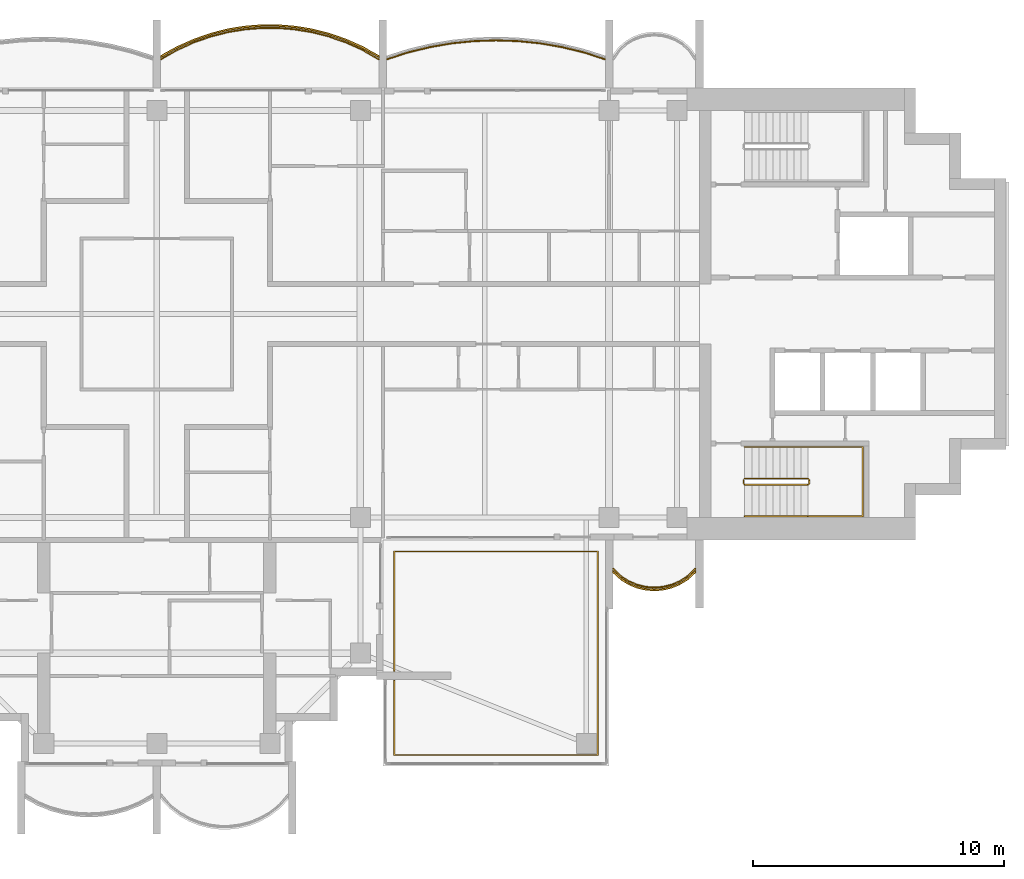
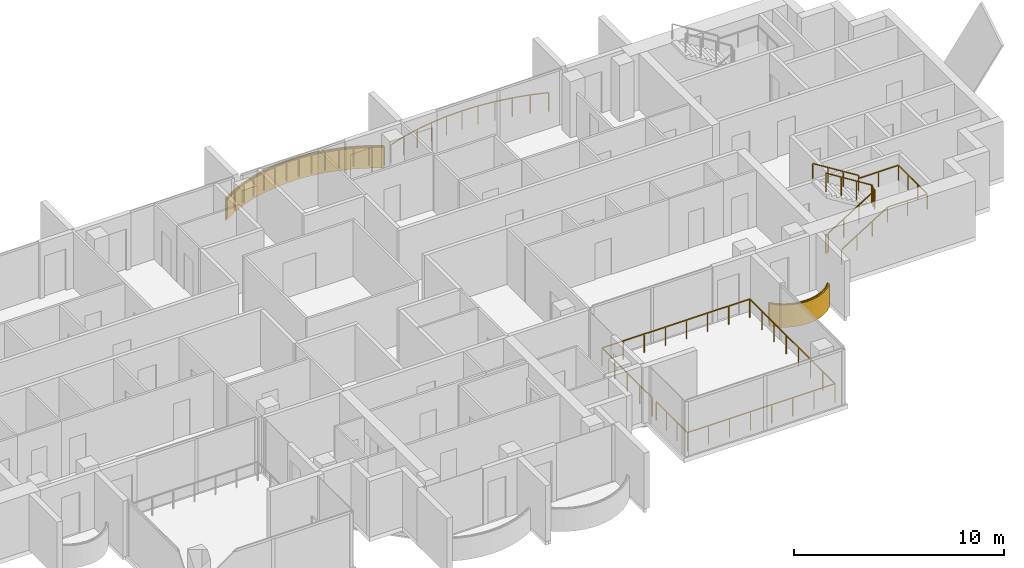
# One storey, part 16 of 17: 6 railings, 2 coverings.
"""IFC4 building model written with IfcOpenShell, lengths in metres."""

from ifc_helpers import new_model, si_unit, direction, frame, origin, origin_2d, place, context, subcontext, project, spatial, polyline, rectangle, outline, extrude, material, layer, layer_set, type_object, element, save


model = new_model("IFC4")

# Units and contexts
model_context = context("Model", 3, precision=1e-05, world=origin(), true_north=direction((0.0, 1.0)))
body_context = subcontext(model_context, "Body", "Model", "MODEL_VIEW")
ifc_project = project(units=[si_unit("LENGTHUNIT", "METRE"), si_unit("AREAUNIT", "SQUARE_METRE"), si_unit("VOLUMEUNIT", "CUBIC_METRE"), si_unit("PLANEANGLEUNIT", "RADIAN"), si_unit("MASSUNIT", "GRAM", prefix="KILO")], contexts=[model_context])

# Site, building, storey
site_placement = place(None, origin())
site = spatial("IfcSite", under=ifc_project, at=site_placement, CompositionType="ELEMENT")
building_placement = place(site_placement, origin())
building = spatial("IfcBuilding", under=site, at=building_placement, Name="Perihelion Cross Residences", CompositionType="ELEMENT")
storey_placement = place(building_placement, frame((0.0, 0.0, 278.0)))
storey = spatial("IfcBuildingStorey", under=building, at=storey_placement, Name="L71", CompositionType="ELEMENT", Elevation=278.0)

# Coverings
ifc_material_1 = material(Name="Bronze anodised aluminium", Category="aluminium")
ifc_layer = layer(ifc_material_1, 0.070068359375)
ifc_layer_set = layer_set([ifc_layer], Name="Balcony fascia 1300")
covering_type = type_object("IfcCoveringType", Name="Balcony fascia 1300", PredefinedType="CLADDING", material=ifc_layer_set)
covering_1_placement = place(storey_placement, frame((0.0, 0.0, -0.199951171875)))
element("IfcCovering", 1, at=covering_1_placement, inside=storey, type_object=covering_type, Name="Fascia BF1 L71 north side east bay 1", PredefinedType="CLADDING", context=body_context, shape_type="SweptSolid", body=[
    extrude(outline(polyline([(8.212158203125, 10.63916015625), (7.537353515625, 10.941650390625), (6.8623046875, 11.175048828125), (6.1875, 11.345947265625), (5.512451171875, 11.457763671875), (4.83740234375, 11.51318359375), (4.16259765625, 11.51318359375), (3.487548828125, 11.457763671875), (2.8125, 11.345947265625), (2.1376953125, 11.175048828125), (1.462646484375, 10.941650390625), (0.787841796875, 10.63916015625), (0.14990234375, 10.2802734375), (0.14990234375, 10.199951171875), (0.8193359375, 10.57666015625), (1.488525390625, 10.87646484375), (2.15771484375, 11.108154296875), (2.826904296875, 11.27734375), (3.49609375, 11.38818359375), (4.165283203125, 11.443115234375), (4.834716796875, 11.443115234375), (5.50390625, 11.38818359375), (6.173095703125, 11.27734375), (6.84228515625, 11.108154296875), (7.511474609375, 10.87646484375), (8.1806640625, 10.57666015625), (8.85009765625, 10.199951171875), (8.85009765625, 10.2802734375), (8.212158203125, 10.63916015625)])), origin(), (0.0, 0.0, 1.0), 1.300048828125),
])
covering_2_placement = place(storey_placement, frame((0.0, 0.0, -0.199951171875)))
element("IfcCovering", 2, at=covering_2_placement, inside=storey, type_object=covering_type, Name="Fascia BF1 L71 east side south bay 2", PredefinedType="CLADDING", context=body_context, shape_type="SweptSolid", body=[
    extrude(outline(polyline([(18.4375, -10.56298828125), (18.778076171875, -10.77587890625), (19.11865234375, -10.914794921875), (19.45947265625, -10.994140625), (19.800048828125, -11.02001953125), (20.140625, -10.994140625), (20.481201171875, -10.914794921875), (20.82177734375, -10.77587890625), (21.16259765625, -10.56298828125), (21.449951171875, -10.295654296875), (21.449951171875, -10.199951171875), (21.1201171875, -10.507568359375), (20.7900390625, -10.71337890625), (20.4599609375, -10.84814453125), (20.1298828125, -10.925048828125), (19.800048828125, -10.949951171875), (19.469970703125, -10.925048828125), (19.139892578125, -10.84814453125), (18.81005859375, -10.71337890625), (18.47998046875, -10.507568359375), (18.14990234375, -10.199951171875), (18.14990234375, -10.295654296875), (18.4375, -10.56298828125)])), origin(), (0.0, 0.0, 1.0), 1.300048828125),
])

# Railings
ifc_material_2 = material(Name="Bronze anodised aluminium", Category="aluminium")
railing_type_1 = type_object("IfcRailingType", Name="Balcony guard 1100", PredefinedType="GUARDRAIL", material=ifc_material_2)
railing_1_placement = place(storey_placement, frame((17.824951171875, 10.139892578125, 0.0)))
element("IfcRailing", 3, at=railing_1_placement, inside=storey, type_object=railing_type_1, Name="Guard GU1 L71 east side north bay 2 balcony", PredefinedType="GUARDRAIL", context=body_context, shape_type="SweptSolid", body=[
    extrude(rectangle(XDim=0.048095703125, YDim=0.048095703125, at=origin_2d()), frame((0.0, 0.0, 1.076171875), z_axis=(-0.950777354264, 0.30987484993, 0.0), x_axis=(-0.30987484993, -0.950777354264, 0.0)), (0.0, 0.0, 1.0), 0.888671875),
    extrude(rectangle(XDim=0.048095703125, YDim=0.048095703125, at=origin_2d()), frame((-0.844970703125, 0.275390625, 1.076171875), z_axis=(-0.972146551129, 0.234373810671, 0.0), x_axis=(-0.234373810671, -0.972146551129, 0.0)), (0.0, 0.0, 1.0), 0.894775390625),
    extrude(rectangle(XDim=0.048095703125, YDim=0.048095703125, at=origin_2d()), frame((-1.71484375, 0.485107421875, 1.076171875), z_axis=(-0.985850361727, 0.167627755108, 0.0), x_axis=(-0.167627755108, -0.985850361727, 0.0)), (0.0, 0.0, 1.0), 0.882568359375),
    extrude(rectangle(XDim=0.048095703125, YDim=0.048095703125, at=origin_2d()), frame((-2.5849609375, 0.633056640625, 1.076171875), z_axis=(-0.994934368303, 0.100526627165, 0.0), x_axis=(-0.100526627165, -0.994934368303, 0.0)), (0.0, 0.0, 1.0), 0.874267578125),
    extrude(rectangle(XDim=0.048095703125, YDim=0.048095703125, at=origin_2d()), frame((-3.454833984375, 0.720947265625, 1.076171875), z_axis=(-0.999443037968, 0.0333708534, 0.0), x_axis=(-0.0333708534, -0.999443037968, 0.0)), (0.0, 0.0, 1.0), 0.87060546875),
    extrude(rectangle(XDim=0.048095703125, YDim=0.048095703125, at=origin_2d()), frame((-4.324951171875, 0.75, 1.076171875), z_axis=(-0.999443037968, -0.0333708534, 0.0), x_axis=(0.0333708534, -0.999443037968, 0.0)), (0.0, 0.0, 1.0), 0.87060546875),
    extrude(rectangle(XDim=0.048095703125, YDim=0.048095703125, at=origin_2d()), frame((-5.195068359375, 0.720947265625, 1.076171875), z_axis=(-0.994934368303, -0.100526627165, 0.0), x_axis=(0.100526627165, -0.994934368303, 0.0)), (0.0, 0.0, 1.0), 0.874267578125),
    extrude(rectangle(XDim=0.048095703125, YDim=0.048095703125, at=origin_2d()), frame((-6.06494140625, 0.633056640625, 1.076171875), z_axis=(-0.985850361727, -0.167627755108, 0.0), x_axis=(0.167627755108, -0.985850361727, 0.0)), (0.0, 0.0, 1.0), 0.882568359375),
    extrude(rectangle(XDim=0.048095703125, YDim=0.048095703125, at=origin_2d()), frame((-6.93505859375, 0.485107421875, 1.076171875), z_axis=(-0.972146551129, -0.234373810671, 0.0), x_axis=(0.234373810671, -0.972146551129, 0.0)), (0.0, 0.0, 1.0), 0.894775390625),
    extrude(rectangle(XDim=0.048095703125, YDim=0.048095703125, at=origin_2d()), frame((-7.804931640625, 0.275390625, 1.076171875), z_axis=(-0.950777354264, -0.30987484993, 0.0), x_axis=(0.30987484993, -0.950777354264, 0.0)), (0.0, 0.0, 1.0), 0.888671875),
    extrude(rectangle(XDim=0.0419921875, YDim=0.0419921875, at=origin_2d()), origin(), (0.0, 0.0, 1.0), 1.052001953125),
    extrude(rectangle(XDim=0.0419921875, YDim=0.0419921875, at=origin_2d()), frame((-0.844970703125, 0.275390625, 0.0)), (0.0, 0.0, 1.0), 1.052001953125),
    extrude(rectangle(XDim=0.0419921875, YDim=0.0419921875, at=origin_2d()), frame((-1.71484375, 0.485107421875, 0.0)), (0.0, 0.0, 1.0), 1.052001953125),
    extrude(rectangle(XDim=0.0419921875, YDim=0.0419921875, at=origin_2d()), frame((-2.5849609375, 0.633056640625, 0.0)), (0.0, 0.0, 1.0), 1.052001953125),
    extrude(rectangle(XDim=0.0419921875, YDim=0.0419921875, at=origin_2d()), frame((-3.454833984375, 0.720947265625, 0.0)), (0.0, 0.0, 1.0), 1.052001953125),
    extrude(rectangle(XDim=0.0419921875, YDim=0.0419921875, at=origin_2d()), frame((-4.324951171875, 0.75, 0.0)), (0.0, 0.0, 1.0), 1.052001953125),
    extrude(rectangle(XDim=0.0419921875, YDim=0.0419921875, at=origin_2d()), frame((-5.195068359375, 0.720947265625, 0.0)), (0.0, 0.0, 1.0), 1.052001953125),
    extrude(rectangle(XDim=0.0419921875, YDim=0.0419921875, at=origin_2d()), frame((-6.06494140625, 0.633056640625, 0.0)), (0.0, 0.0, 1.0), 1.052001953125),
    extrude(rectangle(XDim=0.0419921875, YDim=0.0419921875, at=origin_2d()), frame((-6.93505859375, 0.485107421875, 0.0)), (0.0, 0.0, 1.0), 1.052001953125),
    extrude(rectangle(XDim=0.0419921875, YDim=0.0419921875, at=origin_2d()), frame((-7.804931640625, 0.275390625, 0.0)), (0.0, 0.0, 1.0), 1.052001953125),
    extrude(rectangle(XDim=0.0419921875, YDim=0.0419921875, at=origin_2d()), frame((-8.64990234375, 0.0, 0.0)), (0.0, 0.0, 1.0), 1.052001953125),
])
railing_2_placement = place(storey_placement, frame((8.824951171875, 10.139892578125, 0.0)))
element("IfcRailing", 4, at=railing_2_placement, inside=storey, type_object=railing_type_1, Name="Guard GU1 L71 north side east bay 1 balcony", PredefinedType="GUARDRAIL", context=body_context, shape_type="SweptSolid", body=[
    extrude(rectangle(XDim=0.048095703125, YDim=0.048095703125, at=origin_2d()), frame((0.0, 0.0, 1.076171875), z_axis=(-0.863125740505, 0.504989065305, 0.0), x_axis=(-0.504989065305, -0.863125740505, 0.0)), (0.0, 0.0, 1.0), 0.746337890625),
    extrude(rectangle(XDim=0.048095703125, YDim=0.048095703125, at=origin_2d()), frame((-0.644287109375, 0.376953125, 1.076171875), z_axis=(-0.912723499295, 0.408577794103, 0.0), x_axis=(-0.408577794103, -0.912723499295, 0.0)), (0.0, 0.0, 1.0), 0.733154296875),
    extrude(rectangle(XDim=0.048095703125, YDim=0.048095703125, at=origin_2d()), frame((-1.3134765625, 0.676513671875, 1.076171875), z_axis=(-0.944965577734, 0.327169767701, 0.0), x_axis=(-0.327169767701, -0.944965577734, 0.0)), (0.0, 0.0, 1.0), 0.708251953125),
    extrude(rectangle(XDim=0.048095703125, YDim=0.048095703125, at=origin_2d()), frame((-1.982666015625, 0.908203125, 1.076171875), z_axis=(-0.96949408574, 0.245114703181, 0.0), x_axis=(-0.245114703181, -0.96949408574, 0.0)), (0.0, 0.0, 1.0), 0.690185546875),
    extrude(rectangle(XDim=0.048095703125, YDim=0.048095703125, at=origin_2d()), frame((-2.65185546875, 1.077392578125, 1.076171875), z_axis=(-0.986500713816, 0.163756959061, 0.0), x_axis=(-0.163756959061, -0.986500713816, 0.0)), (0.0, 0.0, 1.0), 0.678466796875),
    extrude(rectangle(XDim=0.048095703125, YDim=0.048095703125, at=origin_2d()), frame((-3.321044921875, 1.1884765625, 1.076171875), z_axis=(-0.996677390684, 0.081450468994, 0.0), x_axis=(-0.081450468994, -0.996677390684, 0.0)), (0.0, 0.0, 1.0), 0.67138671875),
    extrude(rectangle(XDim=0.048095703125, YDim=0.048095703125, at=origin_2d()), frame((-3.990234375, 1.2431640625, 1.076171875), z_axis=(-1.0, 0.0, 0.0), x_axis=(0.0, -1.0, 0.0)), (0.0, 0.0, 1.0), 0.66943359375),
    extrude(rectangle(XDim=0.048095703125, YDim=0.048095703125, at=origin_2d()), frame((-4.65966796875, 1.2431640625, 1.076171875), z_axis=(-0.996677390684, -0.081450468994, 0.0), x_axis=(0.081450468994, -0.996677390684, 0.0)), (0.0, 0.0, 1.0), 0.67138671875),
    extrude(rectangle(XDim=0.048095703125, YDim=0.048095703125, at=origin_2d()), frame((-5.328857421875, 1.1884765625, 1.076171875), z_axis=(-0.986500713816, -0.163756959061, 0.0), x_axis=(0.163756959061, -0.986500713816, 0.0)), (0.0, 0.0, 1.0), 0.678466796875),
    extrude(rectangle(XDim=0.048095703125, YDim=0.048095703125, at=origin_2d()), frame((-5.998046875, 1.077392578125, 1.076171875), z_axis=(-0.96949408574, -0.245114703181, 0.0), x_axis=(0.245114703181, -0.96949408574, 0.0)), (0.0, 0.0, 1.0), 0.690185546875),
    extrude(rectangle(XDim=0.048095703125, YDim=0.048095703125, at=origin_2d()), frame((-6.667236328125, 0.908203125, 1.076171875), z_axis=(-0.944965577734, -0.327169767701, 0.0), x_axis=(0.327169767701, -0.944965577734, 0.0)), (0.0, 0.0, 1.0), 0.708251953125),
    extrude(rectangle(XDim=0.048095703125, YDim=0.048095703125, at=origin_2d()), frame((-7.33642578125, 0.676513671875, 1.076171875), z_axis=(-0.912723499295, -0.408577794103, 0.0), x_axis=(0.408577794103, -0.912723499295, 0.0)), (0.0, 0.0, 1.0), 0.733154296875),
    extrude(rectangle(XDim=0.048095703125, YDim=0.048095703125, at=origin_2d()), frame((-8.005615234375, 0.376953125, 1.076171875), z_axis=(-0.863125740505, -0.504989065305, 0.0), x_axis=(0.504989065305, -0.863125740505, 0.0)), (0.0, 0.0, 1.0), 0.746337890625),
    extrude(rectangle(XDim=0.0419921875, YDim=0.0419921875, at=origin_2d()), origin(), (0.0, 0.0, 1.0), 1.052001953125),
    extrude(rectangle(XDim=0.0419921875, YDim=0.0419921875, at=origin_2d()), frame((-0.644287109375, 0.376953125, 0.0)), (0.0, 0.0, 1.0), 1.052001953125),
    extrude(rectangle(XDim=0.0419921875, YDim=0.0419921875, at=origin_2d()), frame((-1.3134765625, 0.676513671875, 0.0)), (0.0, 0.0, 1.0), 1.052001953125),
    extrude(rectangle(XDim=0.0419921875, YDim=0.0419921875, at=origin_2d()), frame((-1.982666015625, 0.908203125, 0.0)), (0.0, 0.0, 1.0), 1.052001953125),
    extrude(rectangle(XDim=0.0419921875, YDim=0.0419921875, at=origin_2d()), frame((-2.65185546875, 1.077392578125, 0.0)), (0.0, 0.0, 1.0), 1.052001953125),
    extrude(rectangle(XDim=0.0419921875, YDim=0.0419921875, at=origin_2d()), frame((-3.321044921875, 1.1884765625, 0.0)), (0.0, 0.0, 1.0), 1.052001953125),
    extrude(rectangle(XDim=0.0419921875, YDim=0.0419921875, at=origin_2d()), frame((-3.990234375, 1.2431640625, 0.0)), (0.0, 0.0, 1.0), 1.052001953125),
    extrude(rectangle(XDim=0.0419921875, YDim=0.0419921875, at=origin_2d()), frame((-4.65966796875, 1.2431640625, 0.0)), (0.0, 0.0, 1.0), 1.052001953125),
    extrude(rectangle(XDim=0.0419921875, YDim=0.0419921875, at=origin_2d()), frame((-5.328857421875, 1.1884765625, 0.0)), (0.0, 0.0, 1.0), 1.052001953125),
    extrude(rectangle(XDim=0.0419921875, YDim=0.0419921875, at=origin_2d()), frame((-5.998046875, 1.077392578125, 0.0)), (0.0, 0.0, 1.0), 1.052001953125),
    extrude(rectangle(XDim=0.0419921875, YDim=0.0419921875, at=origin_2d()), frame((-6.667236328125, 0.908203125, 0.0)), (0.0, 0.0, 1.0), 1.052001953125),
    extrude(rectangle(XDim=0.0419921875, YDim=0.0419921875, at=origin_2d()), frame((-7.33642578125, 0.676513671875, 0.0)), (0.0, 0.0, 1.0), 1.052001953125),
    extrude(rectangle(XDim=0.0419921875, YDim=0.0419921875, at=origin_2d()), frame((-8.005615234375, 0.376953125, 0.0)), (0.0, 0.0, 1.0), 1.052001953125),
    extrude(rectangle(XDim=0.0419921875, YDim=0.0419921875, at=origin_2d()), frame((-8.64990234375, 0.0, 0.0)), (0.0, 0.0, 1.0), 1.052001953125),
])
railing_3_placement = place(storey_placement, frame((18.175048828125, -10.139892578125, 0.0)))
element("IfcRailing", 5, at=railing_3_placement, inside=storey, type_object=railing_type_1, Name="Guard GU1 L71 east side south bay 2 balcony", PredefinedType="GUARDRAIL", context=body_context, shape_type="SweptSolid", body=[
    extrude(rectangle(XDim=0.048095703125, YDim=0.048095703125, at=origin_2d()), frame((0.0, 0.0, 1.076171875), z_axis=(0.703999905859, -0.710200065158, 0.0), x_axis=(0.710200065158, 0.703999905859, 0.0)), (0.0, 0.0, 1.0), 0.43310546875),
    extrude(rectangle(XDim=0.048095703125, YDim=0.048095703125, at=origin_2d()), frame((0.304931640625, -0.3076171875, 1.076171875), z_axis=(0.848280173265, -0.529547682127, 0.0), x_axis=(0.529547682127, 0.848280173265, 0.0)), (0.0, 0.0, 1.0), 0.38916015625),
    extrude(rectangle(XDim=0.048095703125, YDim=0.048095703125, at=origin_2d()), frame((0.635009765625, -0.513671875, 1.076171875), z_axis=(0.925950379976, -0.377645195682, 0.0), x_axis=(0.377645195682, 0.925950379976, 0.0)), (0.0, 0.0, 1.0), 0.356201171875),
    extrude(rectangle(XDim=0.048095703125, YDim=0.048095703125, at=origin_2d()), frame((0.96484375, -0.648193359375, 1.076171875), z_axis=(0.97391554583, -0.226910796551, 0.0), x_axis=(0.226910796551, 0.97391554583, 0.0)), (0.0, 0.0, 1.0), 0.3388671875),
    extrude(rectangle(XDim=0.048095703125, YDim=0.048095703125, at=origin_2d()), frame((1.294921875, -0.72509765625, 1.076171875), z_axis=(0.997166208737, -0.075229995038, 0.0), x_axis=(0.075229995038, 0.997166208737, 0.0)), (0.0, 0.0, 1.0), 0.3310546875),
    extrude(rectangle(XDim=0.048095703125, YDim=0.048095703125, at=origin_2d()), frame((1.625, -0.75, 1.076171875), z_axis=(0.997162029931, 0.075285364214, 0.0), x_axis=(-0.075285364214, 0.997162029931, 0.0)), (0.0, 0.0, 1.0), 0.330810546875),
    extrude(rectangle(XDim=0.048095703125, YDim=0.048095703125, at=origin_2d()), frame((1.954833984375, -0.72509765625, 1.076171875), z_axis=(0.97391554583, 0.226910796551, 0.0), x_axis=(-0.226910796551, 0.97391554583, 0.0)), (0.0, 0.0, 1.0), 0.3388671875),
    extrude(rectangle(XDim=0.048095703125, YDim=0.048095703125, at=origin_2d()), frame((2.284912109375, -0.648193359375, 1.076171875), z_axis=(0.926048033295, 0.377405670374, 0.0), x_axis=(-0.377405670374, 0.926048033295, 0.0)), (0.0, 0.0, 1.0), 0.3564453125),
    extrude(rectangle(XDim=0.048095703125, YDim=0.048095703125, at=origin_2d()), frame((2.614990234375, -0.513671875, 1.076171875), z_axis=(0.848280173265, 0.529547682127, 0.0), x_axis=(-0.529547682127, 0.848280173265, 0.0)), (0.0, 0.0, 1.0), 0.38916015625),
    extrude(rectangle(XDim=0.048095703125, YDim=0.048095703125, at=origin_2d()), frame((2.945068359375, -0.3076171875, 1.076171875), z_axis=(0.703999905859, 0.710200065158, 0.0), x_axis=(-0.710200065158, 0.703999905859, 0.0)), (0.0, 0.0, 1.0), 0.43310546875),
    extrude(rectangle(XDim=0.0419921875, YDim=0.0419921875, at=origin_2d()), origin(), (0.0, 0.0, 1.0), 1.052001953125),
    extrude(rectangle(XDim=0.0419921875, YDim=0.0419921875, at=origin_2d()), frame((0.304931640625, -0.3076171875, 0.0)), (0.0, 0.0, 1.0), 1.052001953125),
    extrude(rectangle(XDim=0.0419921875, YDim=0.0419921875, at=origin_2d()), frame((0.635009765625, -0.513671875, 0.0)), (0.0, 0.0, 1.0), 1.052001953125),
    extrude(rectangle(XDim=0.0419921875, YDim=0.0419921875, at=origin_2d()), frame((0.96484375, -0.648193359375, 0.0)), (0.0, 0.0, 1.0), 1.052001953125),
    extrude(rectangle(XDim=0.0419921875, YDim=0.0419921875, at=origin_2d()), frame((1.294921875, -0.72509765625, 0.0)), (0.0, 0.0, 1.0), 1.052001953125),
    extrude(rectangle(XDim=0.0419921875, YDim=0.0419921875, at=origin_2d()), frame((1.625, -0.75, 0.0)), (0.0, 0.0, 1.0), 1.052001953125),
    extrude(rectangle(XDim=0.0419921875, YDim=0.0419921875, at=origin_2d()), frame((1.954833984375, -0.72509765625, 0.0)), (0.0, 0.0, 1.0), 1.052001953125),
    extrude(rectangle(XDim=0.0419921875, YDim=0.0419921875, at=origin_2d()), frame((2.284912109375, -0.648193359375, 0.0)), (0.0, 0.0, 1.0), 1.052001953125),
    extrude(rectangle(XDim=0.0419921875, YDim=0.0419921875, at=origin_2d()), frame((2.614990234375, -0.513671875, 0.0)), (0.0, 0.0, 1.0), 1.052001953125),
    extrude(rectangle(XDim=0.0419921875, YDim=0.0419921875, at=origin_2d()), frame((2.945068359375, -0.3076171875, 0.0)), (0.0, 0.0, 1.0), 1.052001953125),
    extrude(rectangle(XDim=0.0419921875, YDim=0.0419921875, at=origin_2d()), frame((3.25, 0.0, 0.0)), (0.0, 0.0, 1.0), 1.052001953125),
])
railing_4_placement = place(storey_placement, frame((9.449951171875, -14.2099609375, 0.0)))
element("IfcRailing", 6, at=railing_4_placement, inside=storey, type_object=railing_type_1, Name="Guard GU1 L71 pocket south-east 1", PredefinedType="GUARDRAIL", context=body_context, shape_type="SweptSolid", body=[
    extrude(rectangle(XDim=0.048095703125, YDim=0.048095703125, at=origin_2d()), frame((0.0, 0.0, 1.076171875), z_axis=(0.0, 1.0, 0.0), x_axis=(-1.0, 0.0, 0.0)), (0.0, 0.0, 1.0), 4.760009765625),
    extrude(rectangle(XDim=0.048095703125, YDim=0.048095703125, at=origin_2d()), frame((0.0, 4.760009765625, 1.076171875), z_axis=(1.0, 0.0, 0.0), x_axis=(0.0, 1.0, 0.0)), (0.0, 0.0, 1.0), 8.10009765625),
    extrude(rectangle(XDim=0.048095703125, YDim=0.048095703125, at=origin_2d()), frame((8.10009765625, 4.760009765625, 1.076171875), z_axis=(0.0, -1.0, 0.0), x_axis=(1.0, 0.0, 0.0)), (0.0, 0.0, 1.0), 8.10009765625),
    extrude(rectangle(XDim=0.048095703125, YDim=0.048095703125, at=origin_2d()), frame((8.10009765625, -3.340087890625, 1.076171875), z_axis=(-1.0, 0.0, 0.0), x_axis=(0.0, -1.0, 0.0)), (0.0, 0.0, 1.0), 8.10009765625),
    extrude(rectangle(XDim=0.048095703125, YDim=0.048095703125, at=origin_2d()), frame((0.0, -3.340087890625, 1.076171875), z_axis=(0.0, 1.0, 0.0), x_axis=(-1.0, 0.0, 0.0)), (0.0, 0.0, 1.0), 2.9599609375),
    extrude(rectangle(XDim=0.0419921875, YDim=0.0419921875, at=origin_2d()), origin(), (0.0, 0.0, 1.0), 1.052001953125),
    extrude(rectangle(XDim=0.0419921875, YDim=0.0419921875, at=origin_2d()), frame((0.0, 1.18994140625, 0.0)), (0.0, 0.0, 1.0), 1.052001953125),
    extrude(rectangle(XDim=0.0419921875, YDim=0.0419921875, at=origin_2d()), frame((0.0, 2.3798828125, 0.0)), (0.0, 0.0, 1.0), 1.052001953125),
    extrude(rectangle(XDim=0.0419921875, YDim=0.0419921875, at=origin_2d()), frame((0.0, 3.570068359375, 0.0)), (0.0, 0.0, 1.0), 1.052001953125),
    extrude(rectangle(XDim=0.0419921875, YDim=0.0419921875, at=origin_2d()), frame((0.0, 4.760009765625, 0.0)), (0.0, 0.0, 1.0), 1.052001953125),
    extrude(rectangle(XDim=0.0419921875, YDim=0.0419921875, at=origin_2d()), frame((1.1572265625, 4.760009765625, 0.0)), (0.0, 0.0, 1.0), 1.052001953125),
    extrude(rectangle(XDim=0.0419921875, YDim=0.0419921875, at=origin_2d()), frame((2.314208984375, 4.760009765625, 0.0)), (0.0, 0.0, 1.0), 1.052001953125),
    extrude(rectangle(XDim=0.0419921875, YDim=0.0419921875, at=origin_2d()), frame((3.471435546875, 4.760009765625, 0.0)), (0.0, 0.0, 1.0), 1.052001953125),
    extrude(rectangle(XDim=0.0419921875, YDim=0.0419921875, at=origin_2d()), frame((4.628662109375, 4.760009765625, 0.0)), (0.0, 0.0, 1.0), 1.052001953125),
    extrude(rectangle(XDim=0.0419921875, YDim=0.0419921875, at=origin_2d()), frame((5.785888671875, 4.760009765625, 0.0)), (0.0, 0.0, 1.0), 1.052001953125),
    extrude(rectangle(XDim=0.0419921875, YDim=0.0419921875, at=origin_2d()), frame((6.94287109375, 4.760009765625, 0.0)), (0.0, 0.0, 1.0), 1.052001953125),
    extrude(rectangle(XDim=0.0419921875, YDim=0.0419921875, at=origin_2d()), frame((8.10009765625, 4.760009765625, 0.0)), (0.0, 0.0, 1.0), 1.052001953125),
    extrude(rectangle(XDim=0.0419921875, YDim=0.0419921875, at=origin_2d()), frame((8.10009765625, 3.602783203125, 0.0)), (0.0, 0.0, 1.0), 1.052001953125),
    extrude(rectangle(XDim=0.0419921875, YDim=0.0419921875, at=origin_2d()), frame((8.10009765625, 2.44580078125, 0.0)), (0.0, 0.0, 1.0), 1.052001953125),
    extrude(rectangle(XDim=0.0419921875, YDim=0.0419921875, at=origin_2d()), frame((8.10009765625, 1.28857421875, 0.0)), (0.0, 0.0, 1.0), 1.052001953125),
    extrude(rectangle(XDim=0.0419921875, YDim=0.0419921875, at=origin_2d()), frame((8.10009765625, 0.13134765625, 0.0)), (0.0, 0.0, 1.0), 1.052001953125),
    extrude(rectangle(XDim=0.0419921875, YDim=0.0419921875, at=origin_2d()), frame((8.10009765625, -1.02587890625, 0.0)), (0.0, 0.0, 1.0), 1.052001953125),
    extrude(rectangle(XDim=0.0419921875, YDim=0.0419921875, at=origin_2d()), frame((8.10009765625, -2.182861328125, 0.0)), (0.0, 0.0, 1.0), 1.052001953125),
    extrude(rectangle(XDim=0.0419921875, YDim=0.0419921875, at=origin_2d()), frame((8.10009765625, -3.340087890625, 0.0)), (0.0, 0.0, 1.0), 1.052001953125),
    extrude(rectangle(XDim=0.0419921875, YDim=0.0419921875, at=origin_2d()), frame((6.94287109375, -3.340087890625, 0.0)), (0.0, 0.0, 1.0), 1.052001953125),
    extrude(rectangle(XDim=0.0419921875, YDim=0.0419921875, at=origin_2d()), frame((5.785888671875, -3.340087890625, 0.0)), (0.0, 0.0, 1.0), 1.052001953125),
    extrude(rectangle(XDim=0.0419921875, YDim=0.0419921875, at=origin_2d()), frame((4.628662109375, -3.340087890625, 0.0)), (0.0, 0.0, 1.0), 1.052001953125),
    extrude(rectangle(XDim=0.0419921875, YDim=0.0419921875, at=origin_2d()), frame((3.471435546875, -3.340087890625, 0.0)), (0.0, 0.0, 1.0), 1.052001953125),
    extrude(rectangle(XDim=0.0419921875, YDim=0.0419921875, at=origin_2d()), frame((2.314208984375, -3.340087890625, 0.0)), (0.0, 0.0, 1.0), 1.052001953125),
    extrude(rectangle(XDim=0.0419921875, YDim=0.0419921875, at=origin_2d()), frame((1.1572265625, -3.340087890625, 0.0)), (0.0, 0.0, 1.0), 1.052001953125),
    extrude(rectangle(XDim=0.0419921875, YDim=0.0419921875, at=origin_2d()), frame((0.0, -3.340087890625, 0.0)), (0.0, 0.0, 1.0), 1.052001953125),
    extrude(rectangle(XDim=0.0419921875, YDim=0.0419921875, at=origin_2d()), frame((0.0, -2.353515625, 0.0)), (0.0, 0.0, 1.0), 1.052001953125),
    extrude(rectangle(XDim=0.0419921875, YDim=0.0419921875, at=origin_2d()), frame((0.0, -1.36669921875, 0.0)), (0.0, 0.0, 1.0), 1.052001953125),
    extrude(rectangle(XDim=0.0419921875, YDim=0.0419921875, at=origin_2d()), frame((0.0, -0.380126953125, 0.0)), (0.0, 0.0, 1.0), 1.052001953125),
])
ifc_material_3 = material(Name="Stainless steel", Category="steel")
railing_type_2 = type_object("IfcRailingType", Name="Stair guard 1100", PredefinedType="GUARDRAIL", material=ifc_material_3)
railing_5_placement = place(storey_placement, frame((23.35009765625, -6.60009765625, 0.0)))
element("IfcRailing", 7, at=railing_5_placement, inside=storey, type_object=railing_type_2, Name="L71 ST-E2 stair guard 1", PredefinedType="GUARDRAIL", context=body_context, shape_type="SweptSolid", body=[
    extrude(rectangle(XDim=0.048095703125, YDim=0.048095703125, at=origin_2d()), frame((0.0, 0.0, 1.076171875), z_axis=(0.0, -1.0, 0.0), x_axis=(1.0, 0.0, 0.0)), (0.0, 0.0, 1.0), 0.14990234375),
    extrude(rectangle(XDim=0.048095703125, YDim=0.048095703125, at=origin_2d()), frame((0.0, -0.14990234375, 1.076171875), z_axis=(0.263862480399, -0.265155923931, 0.927399011991), x_axis=(0.708833529934, 0.705375805398, 0.0)), (0.0, 0.0, 1.0), 0.188720703125),
    extrude(rectangle(XDim=0.048095703125, YDim=0.048095703125, at=origin_2d()), frame((0.0498046875, -0.199951171875, 1.2509765625), z_axis=(0.848007534815, 0.0, 0.529984170421), x_axis=(0.0, 1.0, 0.0)), (0.0, 0.0, 1.0), 2.9716796875),
    extrude(rectangle(XDim=0.048095703125, YDim=0.048095703125, at=origin_2d()), frame((2.56982421875, -0.199951171875, 2.826171875), z_axis=(0.707106781187, 0.707106781187, 0.0), x_axis=(-0.707106781187, 0.707106781187, 0.0)), (0.0, 0.0, 1.0), 0.07080078125),
    extrude(rectangle(XDim=0.048095703125, YDim=0.048095703125, at=origin_2d()), frame((2.619873046875, -0.14990234375, 2.826171875), z_axis=(0.0, 1.0, 0.0), x_axis=(-1.0, 0.0, 0.0)), (0.0, 0.0, 1.0), 0.14990234375),
    extrude(rectangle(XDim=0.048095703125, YDim=0.048095703125, at=origin_2d()), frame((2.619873046875, 0.0, 2.826171875), z_axis=(-0.265065253269, 0.265065253269, 0.927081885822), x_axis=(-0.707106781187, -0.707106781187, 0.0)), (0.0, 0.0, 1.0), 0.188720703125),
    extrude(rectangle(XDim=0.048095703125, YDim=0.048095703125, at=origin_2d()), frame((2.56982421875, 0.050048828125, 3.0009765625), z_axis=(-0.848007534815, 0.0, 0.529984170421), x_axis=(0.0, -1.0, 0.0)), (0.0, 0.0, 1.0), 2.9716796875),
    extrude(rectangle(XDim=0.0419921875, YDim=0.0419921875, at=origin_2d()), origin(), (0.0, 0.0, 1.0), 1.052001953125),
    extrude(rectangle(XDim=0.0419921875, YDim=0.0419921875, at=origin_2d()), frame((0.0, -0.14990234375, 0.0)), (0.0, 0.0, 1.0), 1.052001953125),
    extrude(rectangle(XDim=0.0419921875, YDim=0.0419921875, at=origin_2d()), frame((0.0498046875, -0.199951171875, 0.175048828125)), (0.0, 0.0, 1.0), 1.052001953125),
    extrude(rectangle(XDim=0.0419921875, YDim=0.0419921875, at=origin_2d()), frame((0.889892578125, -0.199951171875, 0.699951171875)), (0.0, 0.0, 1.0), 1.052001953125),
    extrude(rectangle(XDim=0.0419921875, YDim=0.0419921875, at=origin_2d()), frame((1.729736328125, -0.199951171875, 1.22509765625)), (0.0, 0.0, 1.0), 1.052001953125),
    extrude(rectangle(XDim=0.0419921875, YDim=0.0419921875, at=origin_2d()), frame((2.56982421875, -0.199951171875, 1.75)), (0.0, 0.0, 1.0), 1.052001953125),
    extrude(rectangle(XDim=0.0419921875, YDim=0.0419921875, at=origin_2d()), frame((2.619873046875, -0.14990234375, 1.75)), (0.0, 0.0, 1.0), 1.052001953125),
    extrude(rectangle(XDim=0.0419921875, YDim=0.0419921875, at=origin_2d()), frame((2.619873046875, 0.0, 1.75)), (0.0, 0.0, 1.0), 1.052001953125),
    extrude(rectangle(XDim=0.0419921875, YDim=0.0419921875, at=origin_2d()), frame((2.56982421875, 0.050048828125, 1.925048828125)), (0.0, 0.0, 1.0), 1.052001953125),
    extrude(rectangle(XDim=0.0419921875, YDim=0.0419921875, at=origin_2d()), frame((1.729736328125, 0.050048828125, 2.449951171875)), (0.0, 0.0, 1.0), 1.052001953125),
    extrude(rectangle(XDim=0.0419921875, YDim=0.0419921875, at=origin_2d()), frame((0.889892578125, 0.050048828125, 2.97509765625)), (0.0, 0.0, 1.0), 1.052001953125),
    extrude(rectangle(XDim=0.0419921875, YDim=0.0419921875, at=origin_2d()), frame((0.0498046875, 0.050048828125, 3.5)), (0.0, 0.0, 1.0), 1.052001953125),
])
ifc_material_4 = material(Name="Stainless steel", Category="steel")
railing_type_3 = type_object("IfcRailingType", Name="Stair handrail 900", PredefinedType="HANDRAIL", material=ifc_material_4)
railing_6_placement = place(storey_placement, frame((23.39990234375, -8.050048828125, 0.175048828125)))
element("IfcRailing", 8, at=railing_6_placement, inside=storey, type_object=railing_type_3, Name="L71 ST-E2 stair handrail 1", PredefinedType="HANDRAIL", context=body_context, shape_type="SweptSolid", body=[
    extrude(rectangle(XDim=0.048095703125, YDim=0.048095703125, at=origin_2d()), frame((0.0, 0.0, 0.8759765625), z_axis=(0.848007534815, 0.0, 0.529984170421), x_axis=(0.0, 1.0, 0.0)), (0.0, 0.0, 1.0), 2.9716796875),
    extrude(rectangle(XDim=0.048095703125, YDim=0.048095703125, at=origin_2d()), frame((2.52001953125, 0.0, 2.45068359375), z_axis=(1.0, 0.0, 0.0), x_axis=(0.0, 1.0, 0.0)), (0.0, 0.0, 1.0), 2.18017578125),
    extrude(rectangle(XDim=0.048095703125, YDim=0.048095703125, at=origin_2d()), frame((4.7001953125, 0.0, 2.45068359375), z_axis=(0.0, 1.0, 0.0), x_axis=(-1.0, 0.0, 0.0)), (0.0, 0.0, 1.0), 2.75),
    extrude(rectangle(XDim=0.048095703125, YDim=0.048095703125, at=origin_2d()), frame((4.7001953125, 2.75, 2.45068359375), z_axis=(-1.0, 0.0, 0.0), x_axis=(0.0, -1.0, 0.0)), (0.0, 0.0, 1.0), 2.18017578125),
    extrude(rectangle(XDim=0.048095703125, YDim=0.048095703125, at=origin_2d()), frame((2.52001953125, 2.75, 2.45068359375), z_axis=(0.0, 0.0, 1.0), x_axis=(1.0, 0.0, 0.0)), (0.0, 0.0, 1.0), 0.175048828125),
    extrude(rectangle(XDim=0.048095703125, YDim=0.048095703125, at=origin_2d()), frame((2.52001953125, 2.75, 2.6259765625), z_axis=(-0.848007534815, 0.0, 0.529984170421), x_axis=(0.0, -1.0, 0.0)), (0.0, 0.0, 1.0), 2.9716796875),
    extrude(rectangle(XDim=0.0419921875, YDim=0.0419921875, at=origin_2d()), origin(), (0.0, 0.0, 1.0), 0.851806640625),
    extrude(rectangle(XDim=0.0419921875, YDim=0.0419921875, at=origin_2d()), frame((0.840087890625, 0.0, 0.52490234375)), (0.0, 0.0, 1.0), 0.851806640625),
    extrude(rectangle(XDim=0.0419921875, YDim=0.0419921875, at=origin_2d()), frame((1.679931640625, 0.0, 1.050048828125)), (0.0, 0.0, 1.0), 0.851806640625),
    extrude(rectangle(XDim=0.0419921875, YDim=0.0419921875, at=origin_2d()), frame((2.52001953125, 0.0, 1.574951171875)), (0.0, 0.0, 1.0), 0.851806640625),
    extrude(rectangle(XDim=0.0419921875, YDim=0.0419921875, at=origin_2d()), frame((3.610107421875, 0.0, 1.574951171875)), (0.0, 0.0, 1.0), 0.851806640625),
    extrude(rectangle(XDim=0.0419921875, YDim=0.0419921875, at=origin_2d()), frame((4.7001953125, 0.0, 1.574951171875)), (0.0, 0.0, 1.0), 0.851806640625),
    extrude(rectangle(XDim=0.0419921875, YDim=0.0419921875, at=origin_2d()), frame((4.7001953125, 0.916748046875, 1.574951171875)), (0.0, 0.0, 1.0), 0.851806640625),
    extrude(rectangle(XDim=0.0419921875, YDim=0.0419921875, at=origin_2d()), frame((4.7001953125, 1.833251953125, 1.574951171875)), (0.0, 0.0, 1.0), 0.851806640625),
    extrude(rectangle(XDim=0.0419921875, YDim=0.0419921875, at=origin_2d()), frame((4.7001953125, 2.75, 1.574951171875)), (0.0, 0.0, 1.0), 0.851806640625),
    extrude(rectangle(XDim=0.0419921875, YDim=0.0419921875, at=origin_2d()), frame((3.610107421875, 2.75, 1.574951171875)), (0.0, 0.0, 1.0), 0.851806640625),
    extrude(rectangle(XDim=0.0419921875, YDim=0.0419921875, at=origin_2d()), frame((2.52001953125, 2.75, 1.574951171875)), (0.0, 0.0, 1.0), 0.851806640625),
    extrude(rectangle(XDim=0.0419921875, YDim=0.0419921875, at=origin_2d()), frame((2.52001953125, 2.75, 1.75)), (0.0, 0.0, 1.0), 0.851806640625),
    extrude(rectangle(XDim=0.0419921875, YDim=0.0419921875, at=origin_2d()), frame((1.679931640625, 2.75, 2.27490234375)), (0.0, 0.0, 1.0), 0.851806640625),
    extrude(rectangle(XDim=0.0419921875, YDim=0.0419921875, at=origin_2d()), frame((0.840087890625, 2.75, 2.800048828125)), (0.0, 0.0, 1.0), 0.851806640625),
    extrude(rectangle(XDim=0.0419921875, YDim=0.0419921875, at=origin_2d()), frame((0.0, 2.75, 3.324951171875)), (0.0, 0.0, 1.0), 0.851806640625),
])

save(model, "model.ifc")
